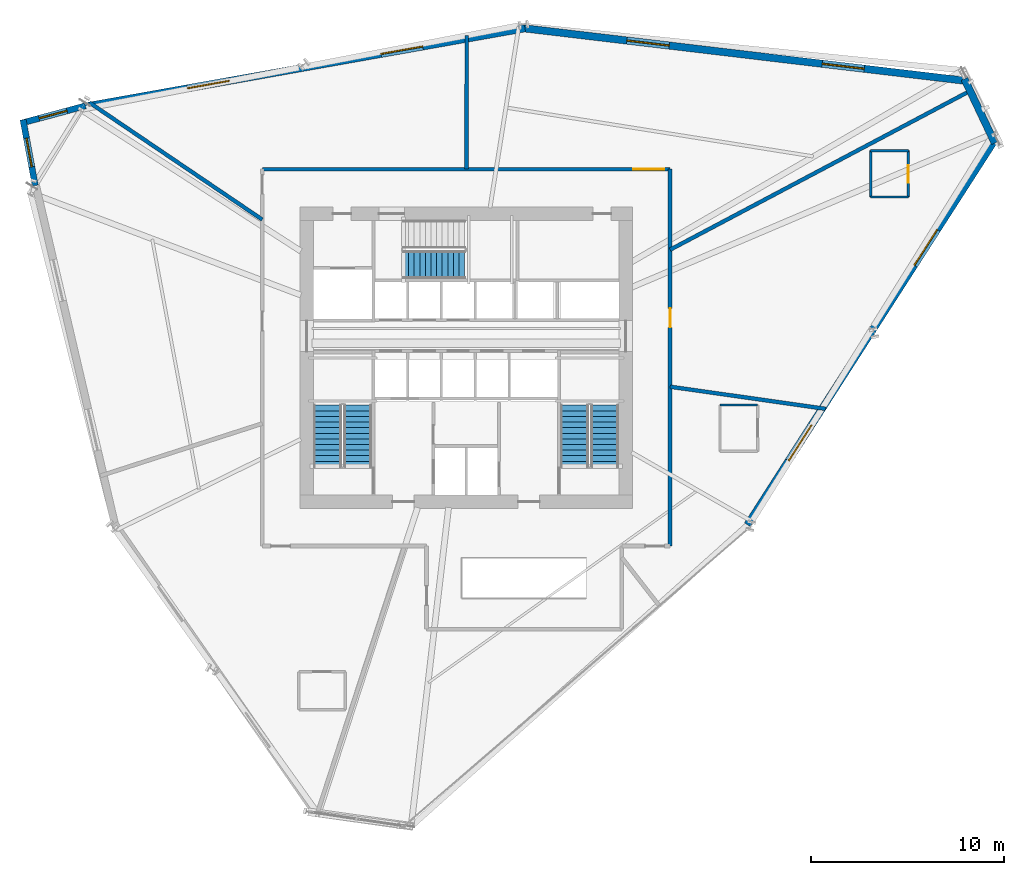
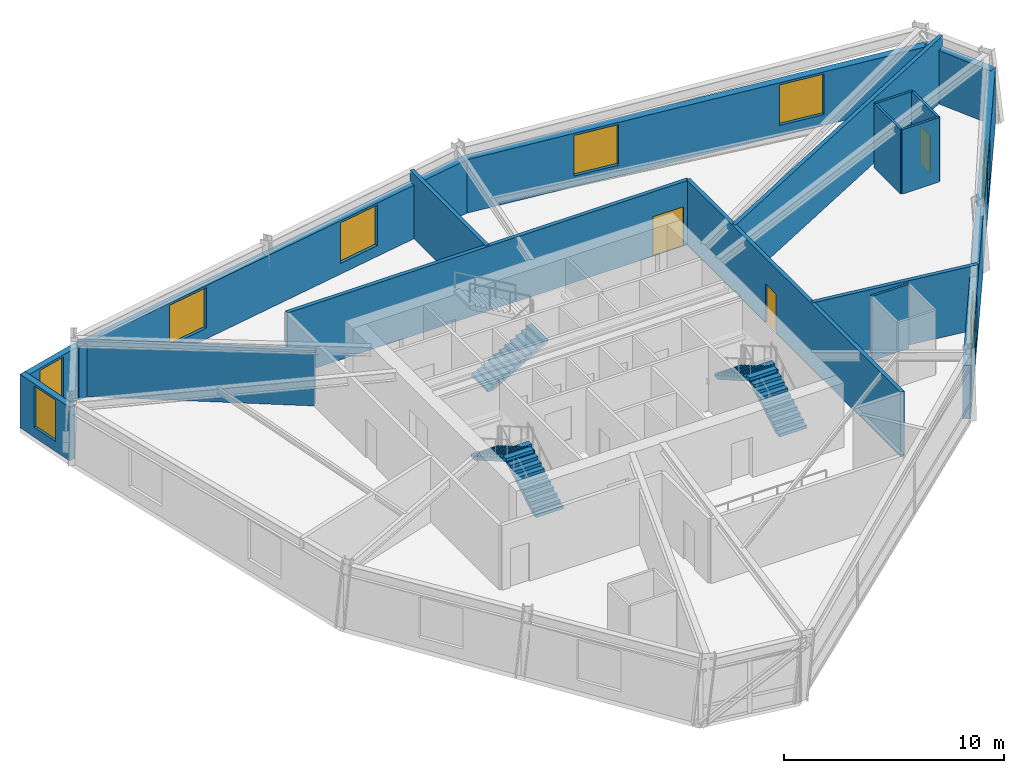
# One storey, part 13 of 16: 17 walls, 8 windows, 5 stair flights, 3 doors, 11 openings, 3 elements without a shape of their own.
"""IFC4 building model written with IfcOpenShell, lengths in metres."""

from ifc_helpers import new_model, si_unit, direction, frame, frame_2d, origin, place, context, subcontext, project, spatial, polyline, rectangle, outline, extrude, source, transform, mapped, material, layer, layer_set, type_object, type_shapes, element, fill, aggregate, save


model = new_model("IFC4")

# Units and contexts
model_context = context("Model", 3, precision=1e-05, world=origin(), true_north=direction((0.0, 1.0)))
body_context = subcontext(model_context, "Body", "Model", "MODEL_VIEW")
ifc_project = project(units=[si_unit("LENGTHUNIT", "METRE"), si_unit("AREAUNIT", "SQUARE_METRE"), si_unit("VOLUMEUNIT", "CUBIC_METRE"), si_unit("PLANEANGLEUNIT", "RADIAN"), si_unit("MASSUNIT", "GRAM", prefix="KILO")], contexts=[model_context])

# Site, building, storey
site_placement = place(None, origin())
site = spatial("IfcSite", under=ifc_project, at=site_placement, CompositionType="ELEMENT")
building_placement = place(site_placement, origin())
building = spatial("IfcBuilding", under=site, at=building_placement, Name="Olszyna Solenne Hotel", CompositionType="ELEMENT")
storey_placement = place(building_placement, frame((0.0, 0.0, 138.10009765625)))
storey = spatial("IfcBuildingStorey", under=building, at=storey_placement, Name="L36", CompositionType="ELEMENT", Elevation=138.10009765625)

# Wall, opening, window
ifc_material_1 = material(Name="Precast concrete C45/55", Category="concrete")
ifc_layer_1 = layer(ifc_material_1, 0.320068359375, Name="Precast concrete C45/55")
ifc_layer_set_1 = layer_set([ifc_layer_1], Name="Precast concrete C45/55")
wall_type_1 = type_object("IfcWallType", Name="WL-EX320", PredefinedType="SOLIDWALL", material=ifc_layer_set_1)
wall_1_placement = place(storey_placement, frame((15.703369140625, 35.506103515625, 0.0), z_axis=(0.0, 0.0, 1.0), x_axis=(-0.182437468588, 0.983217458173, 0.0)))
wall_1 = element("IfcWall", 1, at=wall_1_placement, inside=storey, type_object=wall_type_1, Name="Exterior terracotta-precast frame wall WL-EX320 EW-L36-05", PredefinedType="SOLIDWALL", context=body_context, shape_type="SweptSolid", body=[
    extrude(rectangle(XDim=3.464599609375, YDim=0.320068359375, at=frame_2d((1.732421875, 0.0))), origin(), (0.0, 0.0, 1.0), 2.971923828125),
])
opening_1_placement = place(wall_1_placement, frame((0.98193359375, 0.0, 0.552001953125)))
opening_1 = element("IfcOpeningElement", 2, at=opening_1_placement, cuts=wall_1, Name="Opening WN-L36-217", PredefinedType="OPENING", context=body_context, shape_type="SweptSolid", body=[
    extrude(rectangle(XDim=1.5, YDim=2.300048828125, at=frame_2d((0.75, 1.14990234375))), frame((0.0, 0.169921875, 0.0), z_axis=(0.0, -1.0, 0.0), x_axis=(1.0, 0.0, 0.0)), (0.0, 0.0, 1.0), 0.340087890625),
])
ifc_material_2 = material(Name="Low-E triple glazing", Category="glass")
window_type_1 = type_object("IfcWindowType", Name="WN-CH1", PartitioningType="SINGLE_PANEL", PredefinedType="WINDOW", material=ifc_material_2)
shared_shape_1 = source(origin(), body_context, "Body", "SweptSolid", [
    extrude(rectangle(XDim=1.5, YDim=2.300048828125, at=frame_2d((0.75, 1.14990234375))), frame((0.0, 0.030029296875, 0.0), z_axis=(0.0, -1.0, 0.0), x_axis=(1.0, 0.0, 0.0)), (0.0, 0.0, 1.0), 0.06005859375),
])
type_shapes(window_type_1, [shared_shape_1])
window_1_placement = place(opening_1_placement, origin())
window_1 = element("IfcWindow", 3, at=window_1_placement, inside=storey, type_object=window_type_1, Name="Exterior facade window WN-CH1 WN-L36-217", OverallHeight=2.300048828125, OverallWidth=1.5, PartitioningType="SINGLE_PANEL", PredefinedType="WINDOW", context=body_context, shape_type="MappedRepresentation", body=[
    mapped(shared_shape_1, transform((0.0, 0.0, 0.0), x_axis=(1.0, 0.0, 0.0), y_axis=(0.0, 1.0, 0.0), z_axis=(0.0, 0.0, 1.0), scale=1.0)),
])
fill(opening_1, window_1)

wall_2_placement = place(storey_placement, frame((14.955810546875, 38.72900390625, 0.0), z_axis=(0.0, 0.0, 1.0), x_axis=(0.965504765996, 0.260385381385, 0.0)))
wall_2 = element("IfcWall", 4, at=wall_2_placement, inside=storey, type_object=wall_type_1, Name="Exterior terracotta-precast frame wall WL-EX320 EW-L36-06", PredefinedType="SOLIDWALL", context=body_context, shape_type="SweptSolid", body=[
    extrude(rectangle(XDim=3.464599609375, YDim=0.320068359375, at=frame_2d((1.732421875, 0.0))), origin(), (0.0, 0.0, 1.0), 2.971923828125),
])
opening_2_placement = place(wall_2_placement, frame((0.98193359375, 0.0, 0.552001953125)))
opening_2 = element("IfcOpeningElement", 5, at=opening_2_placement, cuts=wall_2, Name="Opening WN-L36-218", PredefinedType="OPENING", context=body_context, shape_type="SweptSolid", body=[
    extrude(rectangle(XDim=1.5, YDim=2.300048828125, at=frame_2d((0.75, 1.14990234375))), frame((0.0, 0.169921875, 0.0), z_axis=(0.0, -1.0, 0.0), x_axis=(1.0, 0.0, 0.0)), (0.0, 0.0, 1.0), 0.340087890625),
])
window_2_placement = place(opening_2_placement, origin())
window_2 = element("IfcWindow", 6, at=window_2_placement, inside=storey, type_object=window_type_1, Name="Exterior facade window WN-CH1 WN-L36-218", OverallHeight=2.300048828125, OverallWidth=1.5, PartitioningType="SINGLE_PANEL", PredefinedType="WINDOW", context=body_context, shape_type="MappedRepresentation", body=[
    mapped(shared_shape_1, transform((0.0, 0.0, 0.0), x_axis=(1.0, 0.0, 0.0), y_axis=(0.0, 1.0, 0.0), z_axis=(0.0, 0.0, 1.0), scale=1.0)),
])
fill(opening_2, window_2)

# Wall, openings, windows
ifc_material_3 = material(Name="Terracotta cladding on precast concrete C45/55", Category="masonry")
ifc_layer_2 = layer(ifc_material_3, 0.3798828125, Name="Terracotta cladding on precast concrete C45/55")
ifc_layer_set_2 = layer_set([ifc_layer_2], Name="Terracotta cladding on precast concrete C45/55")
wall_type_2 = type_object("IfcWallType", Name="WL-EX380", PredefinedType="SOLIDWALL", material=ifc_layer_set_2)
wall_3_placement = place(storey_placement, frame((18.29248046875, 39.598388671875, 0.0), z_axis=(0.0, 0.0, 1.0), x_axis=(0.98454939434, 0.175107081823, 0.0)))
wall_3 = element("IfcWall", 7, at=wall_3_placement, inside=storey, type_object=wall_type_2, Name="Exterior terracotta-precast frame wall WL-EX380 EW-L36-07", PredefinedType="SOLIDWALL", context=body_context, shape_type="SweptSolid", body=[
    extrude(rectangle(XDim=23.105224609375, YDim=0.3798828125, at=frame_2d((11.552734375, 0.0))), origin(), (0.0, 0.0, 1.0), 2.971923828125),
])
opening_3_placement = place(wall_3_placement, frame((5.368896484375, 0.0, 0.60205078125)))
opening_3 = element("IfcOpeningElement", 8, at=opening_3_placement, cuts=wall_3, Name="Opening WN-L36-219", PredefinedType="OPENING", context=body_context, shape_type="SweptSolid", body=[
    extrude(rectangle(XDim=2.199951171875, YDim=2.25, at=frame_2d((1.10009765625, 1.125))), frame((0.0, 0.199951171875, 0.0), z_axis=(0.0, -1.0, 0.0), x_axis=(1.0, 0.0, 0.0)), (0.0, 0.0, 1.0), 0.39990234375),
])
opening_4_placement = place(wall_3_placement, frame((15.535888671875, 0.0, 0.60205078125)))
opening_4 = element("IfcOpeningElement", 9, at=opening_4_placement, cuts=wall_3, Name="Opening WN-L36-220", PredefinedType="OPENING", context=body_context, shape_type="SweptSolid", body=[
    extrude(rectangle(XDim=2.199951171875, YDim=2.25, at=frame_2d((1.10009765625, 1.125))), frame((0.0, 0.199951171875, 0.0), z_axis=(0.0, -1.0, 0.0), x_axis=(1.0, 0.0, 0.0)), (0.0, 0.0, 1.0), 0.39990234375),
])
window_type_2 = type_object("IfcWindowType", Name="WN-HT2", PartitioningType="SINGLE_PANEL", PredefinedType="WINDOW", material=ifc_material_2)
shared_shape_2 = source(origin(), body_context, "Body", "SweptSolid", [
    extrude(rectangle(XDim=2.199951171875, YDim=2.25, at=frame_2d((1.10009765625, 1.125))), frame((0.0, 0.030029296875, 0.0), z_axis=(0.0, -1.0, 0.0), x_axis=(1.0, 0.0, 0.0)), (0.0, 0.0, 1.0), 0.06005859375),
])
type_shapes(window_type_2, [shared_shape_2])
window_3_placement = place(opening_3_placement, origin())
window_3 = element("IfcWindow", 10, at=window_3_placement, inside=storey, type_object=window_type_2, Name="Exterior facade window WN-HT2 WN-L36-219", OverallHeight=2.25, OverallWidth=2.199951171875, PartitioningType="SINGLE_PANEL", PredefinedType="WINDOW", context=body_context, shape_type="MappedRepresentation", body=[
    mapped(shared_shape_2, transform((0.0, 0.0, 0.0), x_axis=(1.0, 0.0, 0.0), y_axis=(0.0, 1.0, 0.0), z_axis=(0.0, 0.0, 1.0), scale=1.0)),
])
fill(opening_3, window_3)
window_4_placement = place(opening_4_placement, origin())
window_4 = element("IfcWindow", 11, at=window_4_placement, inside=storey, type_object=window_type_2, Name="Exterior facade window WN-HT2 WN-L36-220", OverallHeight=2.25, OverallWidth=2.199951171875, PartitioningType="SINGLE_PANEL", PredefinedType="WINDOW", context=body_context, shape_type="MappedRepresentation", body=[
    mapped(shared_shape_2, transform((0.0, 0.0, 0.0), x_axis=(1.0, 0.0, 0.0), y_axis=(0.0, 1.0, 0.0), z_axis=(0.0, 0.0, 1.0), scale=1.0)),
])
fill(opening_4, window_4)

wall_4_placement = place(storey_placement, frame((40.985107421875, 43.642822265625, 0.0), z_axis=(0.0, 0.0, 1.0), x_axis=(0.99301149666, -0.118017657578, 0.0)))
wall_4 = element("IfcWall", 12, at=wall_4_placement, inside=storey, type_object=wall_type_2, Name="Exterior terracotta-precast frame wall WL-EX380 EW-L36-08", PredefinedType="SOLIDWALL", context=body_context, shape_type="SweptSolid", body=[
    extrude(rectangle(XDim=23.10498046875, YDim=0.3798828125, at=frame_2d((11.552490234375, 0.0))), origin(), (0.0, 0.0, 1.0), 2.971923828125),
])
opening_5_placement = place(wall_4_placement, frame((5.368896484375, 0.0, 0.60205078125)))
opening_5 = element("IfcOpeningElement", 13, at=opening_5_placement, cuts=wall_4, Name="Opening WN-L36-221", PredefinedType="OPENING", context=body_context, shape_type="SweptSolid", body=[
    extrude(rectangle(XDim=2.199951171875, YDim=2.25, at=frame_2d((1.10009765625, 1.125))), frame((0.0, 0.199951171875, 0.0), z_axis=(0.0, -1.0, 0.0), x_axis=(1.0, 0.0, 0.0)), (0.0, 0.0, 1.0), 0.39990234375),
])
opening_6_placement = place(wall_4_placement, frame((15.535888671875, 0.0, 0.60205078125)))
opening_6 = element("IfcOpeningElement", 14, at=opening_6_placement, cuts=wall_4, Name="Opening WN-L36-222", PredefinedType="OPENING", context=body_context, shape_type="SweptSolid", body=[
    extrude(rectangle(XDim=2.199951171875, YDim=2.25, at=frame_2d((1.10009765625, 1.125))), frame((0.0, 0.199951171875, 0.0), z_axis=(0.0, -1.0, 0.0), x_axis=(1.0, 0.0, 0.0)), (0.0, 0.0, 1.0), 0.39990234375),
])
window_5_placement = place(opening_5_placement, origin())
window_5 = element("IfcWindow", 15, at=window_5_placement, inside=storey, type_object=window_type_2, Name="Exterior facade window WN-HT2 WN-L36-221", OverallHeight=2.25, OverallWidth=2.199951171875, PartitioningType="SINGLE_PANEL", PredefinedType="WINDOW", context=body_context, shape_type="MappedRepresentation", body=[
    mapped(shared_shape_2, transform((0.0, 0.0, 0.0), x_axis=(1.0, 0.0, 0.0), y_axis=(0.0, 1.0, 0.0), z_axis=(0.0, 0.0, 1.0), scale=1.0)),
])
fill(opening_5, window_5)
window_6_placement = place(opening_6_placement, origin())
window_6 = element("IfcWindow", 16, at=window_6_placement, inside=storey, type_object=window_type_2, Name="Exterior facade window WN-HT2 WN-L36-222", OverallHeight=2.25, OverallWidth=2.199951171875, PartitioningType="SINGLE_PANEL", PredefinedType="WINDOW", context=body_context, shape_type="MappedRepresentation", body=[
    mapped(shared_shape_2, transform((0.0, 0.0, 0.0), x_axis=(1.0, 0.0, 0.0), y_axis=(0.0, 1.0, 0.0), z_axis=(0.0, 0.0, 1.0), scale=1.0)),
])
fill(opening_6, window_6)

# Wall
wall_5_placement = place(storey_placement, frame((63.779296875, 41.023193359375, 0.0), z_axis=(0.0, 0.0, 1.0), x_axis=(0.428160614976, -0.903702654518, 0.0)))
element("IfcWall", 17, at=wall_5_placement, inside=storey, type_object=wall_type_2, Name="Exterior terracotta-precast frame wall WL-EX380 EW-L36-09", PredefinedType="SOLIDWALL", context=body_context, shape_type="SweptSolid", body=[
    extrude(rectangle(XDim=3.673828125, YDim=0.3798828125, at=frame_2d((1.8369140625, 0.0))), origin(), (0.0, 0.0, 1.0), 2.971923828125),
])

# Wall, openings, windows
wall_6_placement = place(storey_placement, frame((65.3642578125, 37.88720703125, 0.0), z_axis=(0.0, 0.0, 1.0), x_axis=(-0.540678429376, -0.84122935993, 0.0)))
wall_6 = element("IfcWall", 18, at=wall_6_placement, inside=storey, type_object=wall_type_2, Name="Exterior terracotta-precast frame wall WL-EX380 EW-L36-10", PredefinedType="SOLIDWALL", context=body_context, shape_type="SweptSolid", body=[
    extrude(rectangle(XDim=23.693359375, YDim=0.3798828125, at=frame_2d((11.8466796875, 0.0))), origin(), (0.0, 0.0, 1.0), 2.971923828125),
])
opening_7_placement = place(wall_6_placement, frame((5.533935546875, 0.0, 0.60205078125)))
opening_7 = element("IfcOpeningElement", 19, at=opening_7_placement, cuts=wall_6, Name="Opening WN-L36-223", PredefinedType="OPENING", context=body_context, shape_type="SweptSolid", body=[
    extrude(rectangle(XDim=2.199951171875, YDim=2.25, at=frame_2d((1.10009765625, 1.125))), frame((0.0, 0.199951171875, 0.0), z_axis=(0.0, -1.0, 0.0), x_axis=(1.0, 0.0, 0.0)), (0.0, 0.0, 1.0), 0.39990234375),
])
opening_8_placement = place(wall_6_placement, frame((17.55908203125, 0.0, 0.60205078125)))
opening_8 = element("IfcOpeningElement", 20, at=opening_8_placement, cuts=wall_6, Name="Opening WN-L36-224", PredefinedType="OPENING", context=body_context, shape_type="SweptSolid", body=[
    extrude(rectangle(XDim=2.199951171875, YDim=2.25, at=frame_2d((1.10009765625, 1.125))), frame((0.0, 0.199951171875, 0.0), z_axis=(0.0, -1.0, 0.0), x_axis=(1.0, 0.0, 0.0)), (0.0, 0.0, 1.0), 0.39990234375),
])
window_7_placement = place(opening_7_placement, origin())
window_7 = element("IfcWindow", 21, at=window_7_placement, inside=storey, type_object=window_type_2, Name="Exterior facade window WN-HT2 WN-L36-223", OverallHeight=2.25, OverallWidth=2.199951171875, PartitioningType="SINGLE_PANEL", PredefinedType="WINDOW", context=body_context, shape_type="MappedRepresentation", body=[
    mapped(shared_shape_2, transform((0.0, 0.0, 0.0), x_axis=(1.0, 0.0, 0.0), y_axis=(0.0, 1.0, 0.0), z_axis=(0.0, 0.0, 1.0), scale=1.0)),
])
fill(opening_7, window_7)
window_8_placement = place(opening_8_placement, origin())
window_8 = element("IfcWindow", 22, at=window_8_placement, inside=storey, type_object=window_type_2, Name="Exterior facade window WN-HT2 WN-L36-224", OverallHeight=2.25, OverallWidth=2.199951171875, PartitioningType="SINGLE_PANEL", PredefinedType="WINDOW", context=body_context, shape_type="MappedRepresentation", body=[
    mapped(shared_shape_2, transform((0.0, 0.0, 0.0), x_axis=(1.0, 0.0, 0.0), y_axis=(0.0, 1.0, 0.0), z_axis=(0.0, 0.0, 1.0), scale=1.0)),
])
fill(opening_8, window_8)

# Wall
ifc_material_4 = material(Name="Acoustic gypsum partition", Category="gypsum")
ifc_layer_3 = layer(ifc_material_4, 0.125, Name="Acoustic gypsum partition")
ifc_layer_set_3 = layer_set([ifc_layer_3], Name="Acoustic gypsum partition")
wall_type_3 = type_object("IfcWallType", Name="WL-PT125", PredefinedType="PARTITIONING", material=ifc_layer_set_3)
wall_7_placement = place(storey_placement, frame((53.08203125, 24.154052734375, 0.0), z_axis=(0.0, 0.0, 1.0), x_axis=(-1.0, 0.0, 0.0)))
element("IfcWall", 23, at=wall_7_placement, inside=storey, type_object=wall_type_3, Name="Interior acoustic partition WL-PT125 PW-L36-2074", PredefinedType="PARTITIONING", context=body_context, shape_type="SweptSolid", body=[
    extrude(rectangle(XDim=1.949951171875, YDim=0.125, at=frame_2d((0.97509765625, 0.0))), origin(), (0.0, 0.0, 1.0), 3.579833984375),
])

# Wall, opening, door
wall_8_placement = place(storey_placement, frame((60.8740234375, 34.9140625, 0.0), z_axis=(0.0, 0.0, 1.0), x_axis=(0.0, 1.0, 0.0)))
wall_8 = element("IfcWall", 24, at=wall_8_placement, inside=storey, type_object=wall_type_3, Name="Interior acoustic partition WL-PT125 PW-L36-2077", PredefinedType="PARTITIONING", context=body_context, shape_type="SweptSolid", body=[
    extrude(rectangle(XDim=2.39990234375, YDim=0.125, at=frame_2d((1.199951171875, 0.0))), origin(), (0.0, 0.0, 1.0), 3.579833984375),
])
opening_9_placement = place(wall_8_placement, frame((0.75, 0.0, 0.0)))
opening_9 = element("IfcOpeningElement", 25, at=opening_9_placement, cuts=wall_8, Name="Opening DR-L36-0502", PredefinedType="OPENING", context=body_context, shape_type="SweptSolid", body=[
    extrude(rectangle(XDim=0.89990234375, YDim=2.10009765625, at=frame_2d((0.449951171875, 1.050048828125))), frame((0.0, 0.072509765625, 0.0), z_axis=(0.0, -1.0, 0.0), x_axis=(1.0, 0.0, 0.0)), (0.0, 0.0, 1.0), 0.14501953125),
])
ifc_material_5 = material(Name="Timber hardwood", Category="wood")
door_type_1 = type_object("IfcDoorType", Name="DR-WC1", OperationType="NOTDEFINED", PredefinedType="DOOR", material=ifc_material_5)
shared_shape_3 = source(origin(), body_context, "Body", "SweptSolid", [
    extrude(rectangle(XDim=0.89990234375, YDim=2.10009765625, at=frame_2d((0.449951171875, 1.050048828125))), frame((0.0, 0.02490234375, 0.0), z_axis=(0.0, -1.0, 0.0), x_axis=(1.0, 0.0, 0.0)), (0.0, 0.0, 1.0), 0.050048828125),
])
type_shapes(door_type_1, [shared_shape_3])
door_1_placement = place(opening_9_placement, origin())
door_1 = element("IfcDoor", 26, at=door_1_placement, inside=storey, type_object=door_type_1, Name="En-Suite Bathroom Door DR-L36-0502", OperationType="SINGLE_SWING_LEFT", OverallHeight=2.10009765625, OverallWidth=0.89990234375, PredefinedType="DOOR", context=body_context, shape_type="MappedRepresentation", body=[
    mapped(shared_shape_3, transform((0.0, 0.0, 0.0), x_axis=(1.0, 0.0, 0.0), y_axis=(0.0, 1.0, 0.0), z_axis=(0.0, 0.0, 1.0), scale=1.0)),
])
fill(opening_9, door_1)

# Walls
wall_9_placement = place(storey_placement, frame((60.8740234375, 37.31396484375, 0.0), z_axis=(0.0, 0.0, 1.0), x_axis=(-1.0, 0.0, 0.0)))
element("IfcWall", 27, at=wall_9_placement, inside=storey, type_object=wall_type_3, Name="Interior acoustic partition WL-PT125 PW-L36-2078", PredefinedType="PARTITIONING", context=body_context, shape_type="SweptSolid", body=[
    extrude(rectangle(XDim=1.949951171875, YDim=0.125, at=frame_2d((0.97509765625, 0.0))), origin(), (0.0, 0.0, 1.0), 3.579833984375),
])
wall_10_placement = place(storey_placement, frame((58.924072265625, 37.31396484375, 0.0), z_axis=(0.0, 0.0, 1.0), x_axis=(0.0, -1.0, 0.0)))
element("IfcWall", 28, at=wall_10_placement, inside=storey, type_object=wall_type_3, Name="Interior acoustic partition WL-PT125 PW-L36-2079", PredefinedType="PARTITIONING", context=body_context, shape_type="SweptSolid", body=[
    extrude(rectangle(XDim=2.39990234375, YDim=0.125, at=frame_2d((1.199951171875, 0.0))), origin(), (0.0, 0.0, 1.0), 3.579833984375),
])
wall_11_placement = place(storey_placement, frame((58.924072265625, 34.9140625, 0.0), z_axis=(0.0, 0.0, 1.0), x_axis=(1.0, 0.0, 0.0)))
element("IfcWall", 29, at=wall_11_placement, inside=storey, type_object=wall_type_3, Name="Interior acoustic partition WL-PT125 PW-L36-2080", PredefinedType="PARTITIONING", context=body_context, shape_type="SweptSolid", body=[
    extrude(rectangle(XDim=1.949951171875, YDim=0.125, at=frame_2d((0.97509765625, 0.0))), origin(), (0.0, 0.0, 1.0), 3.579833984375),
])
ifc_layer_4 = layer(ifc_material_4, 0.199951171875, Name="Acoustic gypsum partition")
ifc_layer_set_4 = layer_set([ifc_layer_4], Name="Acoustic gypsum partition")
wall_type_4 = type_object("IfcWallType", Name="WL-PT200", PredefinedType="PARTITIONING", material=ifc_layer_set_4)
wall_12_placement = place(storey_placement, frame((48.550048828125, 32.185791015625, 0.0), z_axis=(0.0, 0.0, 1.0), x_axis=(0.883765466782, 0.467930122694, 0.0)))
element("IfcWall", 30, at=wall_12_placement, inside=storey, type_object=wall_type_4, Name="Interior acoustic partition WL-PT200 PW-L36-2062", PredefinedType="PARTITIONING", context=body_context, shape_type="SweptSolid", body=[
    extrude(rectangle(XDim=17.72412109375, YDim=0.199951171875, at=frame_2d((8.862060546875, 0.0))), origin(), (0.0, 0.0, 1.0), 3.579833984375),
])
wall_13_placement = place(storey_placement, frame((38.01708984375, 36.35009765625, 0.0), z_axis=(0.0, 0.0, 1.0), x_axis=(0.001728453448, 0.999998506223, 0.0)))
element("IfcWall", 31, at=wall_13_placement, inside=storey, type_object=wall_type_4, Name="Interior acoustic partition WL-PT200 PW-L36-2063", PredefinedType="PARTITIONING", context=body_context, shape_type="SweptSolid", body=[
    extrude(rectangle(XDim=6.921142578125, YDim=0.199951171875, at=frame_2d((3.46044921875, 0.0))), origin(), (0.0, 0.0, 1.0), 3.579833984375),
])
wall_14_placement = place(storey_placement, frame((27.449951171875, 33.742919921875, 0.0), z_axis=(0.0, 0.0, 1.0), x_axis=(-0.828061528822, 0.560637230734, 0.0)))
element("IfcWall", 32, at=wall_14_placement, inside=storey, type_object=wall_type_4, Name="Interior acoustic partition WL-PT200 PW-L36-2064", PredefinedType="PARTITIONING", context=body_context, shape_type="SweptSolid", body=[
    extrude(rectangle(XDim=10.8017578125, YDim=0.199951171875, at=frame_2d((5.40087890625, 0.0))), origin(), (0.0, 0.0, 1.0), 3.074951171875),
])
wall_15_placement = place(storey_placement, frame((48.550048828125, 25.098388671875, 0.0), z_axis=(0.0, 0.0, 1.0), x_axis=(0.990022637943, -0.140908397052, 0.0)))
element("IfcWall", 33, at=wall_15_placement, inside=storey, type_object=wall_type_4, Name="Interior acoustic partition WL-PT200 PW-L36-2068", PredefinedType="PARTITIONING", context=body_context, shape_type="SweptSolid", body=[
    extrude(rectangle(XDim=8.12939453125, YDim=0.199951171875, at=frame_2d((4.064697265625, 0.0))), origin(), (0.0, 0.0, 1.0), 3.579833984375),
])

# Wall, opening, door
wall_16_placement = place(storey_placement, frame((27.449951171875, 36.35009765625, 0.0), z_axis=(0.0, 0.0, 1.0), x_axis=(1.0, 0.0, 0.0)))
wall_16 = element("IfcWall", 34, at=wall_16_placement, inside=storey, type_object=wall_type_4, Name="Interior acoustic partition WL-PT200 PW-L36-2084", PredefinedType="PARTITIONING", context=body_context, shape_type="SweptSolid", body=[
    extrude(rectangle(XDim=21.10009765625, YDim=0.199951171875, at=frame_2d((10.550048828125, 0.0))), origin(), (0.0, 0.0, 1.0), 3.579833984375),
])
opening_10_placement = place(wall_16_placement, frame((19.199951171875, 0.0, 0.0)))
opening_10 = element("IfcOpeningElement", 35, at=opening_10_placement, cuts=wall_16, Name="Opening DR-L36-0507", PredefinedType="OPENING", context=body_context, shape_type="SweptSolid", body=[
    extrude(rectangle(XDim=1.60009765625, YDim=2.199951171875, at=frame_2d((0.800048828125, 1.10009765625))), frame((0.0, 0.10986328125, 0.0), z_axis=(0.0, -1.0, 0.0), x_axis=(1.0, 0.0, 0.0)), (0.0, 0.0, 1.0), 0.219970703125),
])
door_type_2 = type_object("IfcDoorType", Name="DR-CR1", OperationType="DOUBLE_DOOR_SINGLE_SWING", PredefinedType="DOOR", material=ifc_material_5)
shared_shape_4 = source(origin(), body_context, "Body", "SweptSolid", [
    extrude(rectangle(XDim=1.60009765625, YDim=2.199951171875, at=frame_2d((0.800048828125, 1.10009765625))), frame((0.0, 0.02490234375, 0.0), z_axis=(0.0, -1.0, 0.0), x_axis=(1.0, 0.0, 0.0)), (0.0, 0.0, 1.0), 0.050048828125),
])
type_shapes(door_type_2, [shared_shape_4])
door_2_placement = place(opening_10_placement, origin())
door_2 = element("IfcDoor", 36, at=door_2_placement, inside=storey, type_object=door_type_2, Name="Winter Sky Garden Conservatory Entrance Door DR-L36-0507", OperationType="DOUBLE_DOOR_SINGLE_SWING", OverallHeight=2.199951171875, OverallWidth=1.60009765625, PredefinedType="DOOR", context=body_context, shape_type="MappedRepresentation", body=[
    mapped(shared_shape_4, transform((0.0, 0.0, 0.0), x_axis=(1.0, 0.0, 0.0), y_axis=(0.0, 1.0, 0.0), z_axis=(0.0, 0.0, 1.0), scale=1.0)),
])
fill(opening_10, door_2)

wall_17_placement = place(storey_placement, frame((48.550048828125, 16.85009765625, 0.0), z_axis=(0.0, 0.0, 1.0), x_axis=(0.0, 1.0, 0.0)))
wall_17 = element("IfcWall", 37, at=wall_17_placement, inside=storey, type_object=wall_type_4, Name="Interior acoustic partition WL-PT200 PW-L36-2085", PredefinedType="PARTITIONING", context=body_context, shape_type="SweptSolid", body=[
    extrude(rectangle(XDim=19.5, YDim=0.199951171875, at=frame_2d((9.75, 0.0))), origin(), (0.0, 0.0, 1.0), 3.579833984375),
])
opening_11_placement = place(wall_17_placement, frame((11.322021484375, 0.0, 0.0)))
opening_11 = element("IfcOpeningElement", 38, at=opening_11_placement, cuts=wall_17, Name="Opening DR-L36-0508", PredefinedType="OPENING", context=body_context, shape_type="SweptSolid", body=[
    extrude(rectangle(XDim=0.97998046875, YDim=2.14990234375, at=frame_2d((0.489990234375, 1.074951171875))), frame((0.0, 0.10986328125, 0.0), z_axis=(0.0, -1.0, 0.0), x_axis=(1.0, 0.0, 0.0)), (0.0, 0.0, 1.0), 0.219970703125),
])
door_type_3 = type_object("IfcDoorType", Name="DR-RM1", OperationType="NOTDEFINED", PredefinedType="DOOR", material=ifc_material_5)
shared_shape_5 = source(origin(), body_context, "Body", "SweptSolid", [
    extrude(rectangle(XDim=0.97998046875, YDim=2.14990234375, at=frame_2d((0.489990234375, 1.074951171875))), frame((0.0, 0.02490234375, 0.0), z_axis=(0.0, -1.0, 0.0), x_axis=(1.0, 0.0, 0.0)), (0.0, 0.0, 1.0), 0.050048828125),
])
type_shapes(door_type_3, [shared_shape_5])
door_3_placement = place(opening_11_placement, origin())
door_3 = element("IfcDoor", 39, at=door_3_placement, inside=storey, type_object=door_type_3, Name="Executive Reading Salon Entrance Door DR-L36-0508", OperationType="SINGLE_SWING_LEFT", OverallHeight=2.14990234375, OverallWidth=0.97998046875, PredefinedType="DOOR", context=body_context, shape_type="MappedRepresentation", body=[
    mapped(shared_shape_5, transform((0.0, 0.0, 0.0), x_axis=(1.0, 0.0, 0.0), y_axis=(0.0, 1.0, 0.0), z_axis=(0.0, 0.0, 1.0), scale=1.0)),
])
fill(opening_11, door_3)

# Stair, stair flights
ifc_material_6 = material(Name="Concrete C40/50", Category="concrete")
stair_type = type_object("IfcStairType", Name="STR-C1", PredefinedType="TWO_QUARTER_WINDING_STAIR", material=ifc_material_6)
stair_1_placement = place(storey_placement, origin())
stair_1 = element("IfcStair", 40, at=stair_1_placement, inside=storey, type_object=stair_type, Name="L36 ST1", PredefinedType="TWO_QUARTER_WINDING_STAIR")
stair_flight_type = type_object("IfcStairFlightType", Name="FLT-C1", PredefinedType="STRAIGHT", material=ifc_material_6)
stair_flight_1_placement = place(storey_placement, frame((32.39501953125, 20.949951171875, 0.0), z_axis=(0.0, 0.0, 1.0), x_axis=(0.0, 1.0, 0.0)))
stair_flight_1 = element("IfcStairFlight", 41, at=stair_flight_1_placement, type_object=stair_flight_type, Name="ST1 flight 1", NumberOfRisers=12, NumberOfTreads=11, PredefinedType="STRAIGHT", RiserHeight=0.166666667, TreadLength=0.29, context=body_context, shape_type="SweptSolid", body=[
    extrude(outline(polyline([(0.0, 0.0), (0.0, 0.166748046875), (0.2900390625, 0.166748046875), (0.2900390625, 0.333251953125), (0.580078125, 0.333251953125), (0.580078125, 0.5), (0.8701171875, 0.5), (0.8701171875, 0.666748046875), (1.159912109375, 0.666748046875), (1.159912109375, 0.833251953125), (1.449951171875, 0.833251953125), (1.449951171875, 1.0), (1.739990234375, 1.0), (1.739990234375, 1.166748046875), (2.030029296875, 1.166748046875), (2.030029296875, 1.333251953125), (2.320068359375, 1.333251953125), (2.320068359375, 1.5), (2.610107421875, 1.5), (2.610107421875, 1.666748046875), (2.89990234375, 1.666748046875), (2.89990234375, 1.833251953125), (3.18994140625, 1.833251953125), (3.18994140625, 2.0), (3.18994140625, 1.660400390625), (0.30078125, 0.0), (0.0, 0.0)])), frame((0.0, 0.72509765625, 0.0), z_axis=(0.0, -1.0, 0.0), x_axis=(1.0, 0.0, 0.0)), (0.0, 0.0, 1.0), 1.449951171875),
])
stair_flight_2_placement = place(storey_placement, frame((30.824951171875, 24.139892578125, 2.0), z_axis=(0.0, 0.0, 1.0), x_axis=(0.0, -1.0, 0.0)))
stair_flight_2 = element("IfcStairFlight", 42, at=stair_flight_2_placement, type_object=stair_flight_type, Name="ST1 flight 2", NumberOfRisers=12, NumberOfTreads=11, PredefinedType="STRAIGHT", RiserHeight=0.166666667, TreadLength=0.29, context=body_context, shape_type="SweptSolid", body=[
    extrude(outline(polyline([(0.0, 0.0), (0.0, 0.166748046875), (0.2900390625, 0.166748046875), (0.2900390625, 0.333251953125), (0.580078125, 0.333251953125), (0.580078125, 0.5), (0.8701171875, 0.5), (0.8701171875, 0.666748046875), (1.159912109375, 0.666748046875), (1.159912109375, 0.833251953125), (1.449951171875, 0.833251953125), (1.449951171875, 1.0), (1.739990234375, 1.0), (1.739990234375, 1.166748046875), (2.030029296875, 1.166748046875), (2.030029296875, 1.333251953125), (2.320068359375, 1.333251953125), (2.320068359375, 1.5), (2.610107421875, 1.5), (2.610107421875, 1.666748046875), (2.89990234375, 1.666748046875), (2.89990234375, 1.833251953125), (3.18994140625, 1.833251953125), (3.18994140625, 2.0), (3.18994140625, 1.660400390625), (0.30078125, 0.0), (0.0, 0.0)])), frame((0.0, 0.72509765625, 0.0), z_axis=(0.0, -1.0, 0.0), x_axis=(1.0, 0.0, 0.0)), (0.0, 0.0, 1.0), 1.449951171875),
])
aggregate(stair_1, [stair_flight_1, stair_flight_2])

stair_2_placement = place(storey_placement, origin())
stair_2 = element("IfcStair", 43, at=stair_2_placement, inside=storey, type_object=stair_type, Name="L36 ST2", PredefinedType="TWO_QUARTER_WINDING_STAIR")
stair_flight_3_placement = place(storey_placement, frame((45.175048828125, 20.949951171875, 0.0), z_axis=(0.0, 0.0, 1.0), x_axis=(0.0, 1.0, 0.0)))
stair_flight_3 = element("IfcStairFlight", 44, at=stair_flight_3_placement, type_object=stair_flight_type, Name="ST2 flight 1", NumberOfRisers=12, NumberOfTreads=11, PredefinedType="STRAIGHT", RiserHeight=0.166666667, TreadLength=0.29, context=body_context, shape_type="SweptSolid", body=[
    extrude(outline(polyline([(0.0, 0.0), (0.0, 0.166748046875), (0.2900390625, 0.166748046875), (0.2900390625, 0.333251953125), (0.580078125, 0.333251953125), (0.580078125, 0.5), (0.8701171875, 0.5), (0.8701171875, 0.666748046875), (1.159912109375, 0.666748046875), (1.159912109375, 0.833251953125), (1.449951171875, 0.833251953125), (1.449951171875, 1.0), (1.739990234375, 1.0), (1.739990234375, 1.166748046875), (2.030029296875, 1.166748046875), (2.030029296875, 1.333251953125), (2.320068359375, 1.333251953125), (2.320068359375, 1.5), (2.610107421875, 1.5), (2.610107421875, 1.666748046875), (2.89990234375, 1.666748046875), (2.89990234375, 1.833251953125), (3.18994140625, 1.833251953125), (3.18994140625, 2.0), (3.18994140625, 1.660400390625), (0.30078125, 0.0), (0.0, 0.0)])), frame((0.0, 0.72509765625, 0.0), z_axis=(0.0, -1.0, 0.0), x_axis=(1.0, 0.0, 0.0)), (0.0, 0.0, 1.0), 1.449951171875),
])
stair_flight_4_placement = place(storey_placement, frame((43.60498046875, 24.139892578125, 2.0), z_axis=(0.0, 0.0, 1.0), x_axis=(0.0, -1.0, 0.0)))
stair_flight_4 = element("IfcStairFlight", 45, at=stair_flight_4_placement, type_object=stair_flight_type, Name="ST2 flight 2", NumberOfRisers=12, NumberOfTreads=11, PredefinedType="STRAIGHT", RiserHeight=0.166666667, TreadLength=0.29, context=body_context, shape_type="SweptSolid", body=[
    extrude(outline(polyline([(0.0, 0.0), (0.0, 0.166748046875), (0.2900390625, 0.166748046875), (0.2900390625, 0.333251953125), (0.580078125, 0.333251953125), (0.580078125, 0.5), (0.8701171875, 0.5), (0.8701171875, 0.666748046875), (1.159912109375, 0.666748046875), (1.159912109375, 0.833251953125), (1.449951171875, 0.833251953125), (1.449951171875, 1.0), (1.739990234375, 1.0), (1.739990234375, 1.166748046875), (2.030029296875, 1.166748046875), (2.030029296875, 1.333251953125), (2.320068359375, 1.333251953125), (2.320068359375, 1.5), (2.610107421875, 1.5), (2.610107421875, 1.666748046875), (2.89990234375, 1.666748046875), (2.89990234375, 1.833251953125), (3.18994140625, 1.833251953125), (3.18994140625, 2.0), (3.18994140625, 1.660400390625), (0.30078125, 0.0), (0.0, 0.0)])), frame((0.0, 0.72509765625, 0.0), z_axis=(0.0, -1.0, 0.0), x_axis=(1.0, 0.0, 0.0)), (0.0, 0.0, 1.0), 1.449951171875),
])
aggregate(stair_2, [stair_flight_3, stair_flight_4])

# Stair, stair flight
stair_3_placement = place(storey_placement, origin())
stair_3 = element("IfcStair", 46, at=stair_3_placement, inside=storey, type_object=stair_type, Name="L36 ST3", PredefinedType="TWO_QUARTER_WINDING_STAIR")
stair_flight_5_placement = place(storey_placement, frame((34.72998046875, 31.405029296875, 0.0), z_axis=(0.0, 0.0, 1.0), x_axis=(1.0, 0.0, 0.0)))
stair_flight_5 = element("IfcStairFlight", 47, at=stair_flight_5_placement, type_object=stair_flight_type, Name="ST3 flight 1", NumberOfRisers=12, NumberOfTreads=11, PredefinedType="STRAIGHT", RiserHeight=0.166666667, TreadLength=0.29, context=body_context, shape_type="SweptSolid", body=[
    extrude(outline(polyline([(0.0, 0.0), (0.0, 0.166748046875), (0.2900390625, 0.166748046875), (0.2900390625, 0.333251953125), (0.580078125, 0.333251953125), (0.580078125, 0.5), (0.8701171875, 0.5), (0.8701171875, 0.666748046875), (1.159912109375, 0.666748046875), (1.159912109375, 0.833251953125), (1.449951171875, 0.833251953125), (1.449951171875, 1.0), (1.739990234375, 1.0), (1.739990234375, 1.166748046875), (2.030029296875, 1.166748046875), (2.030029296875, 1.333251953125), (2.320068359375, 1.333251953125), (2.320068359375, 1.5), (2.610107421875, 1.5), (2.610107421875, 1.666748046875), (2.89990234375, 1.666748046875), (2.89990234375, 1.833251953125), (3.18994140625, 1.833251953125), (3.18994140625, 2.0), (3.18994140625, 1.660400390625), (0.30078125, 0.0), (0.0, 0.0)])), frame((0.0, 0.72509765625, 0.0), z_axis=(0.0, -1.0, 0.0), x_axis=(1.0, 0.0, 0.0)), (0.0, 0.0, 1.0), 1.449951171875),
])
aggregate(stair_3, [stair_flight_5])

save(model, "model.ifc")
